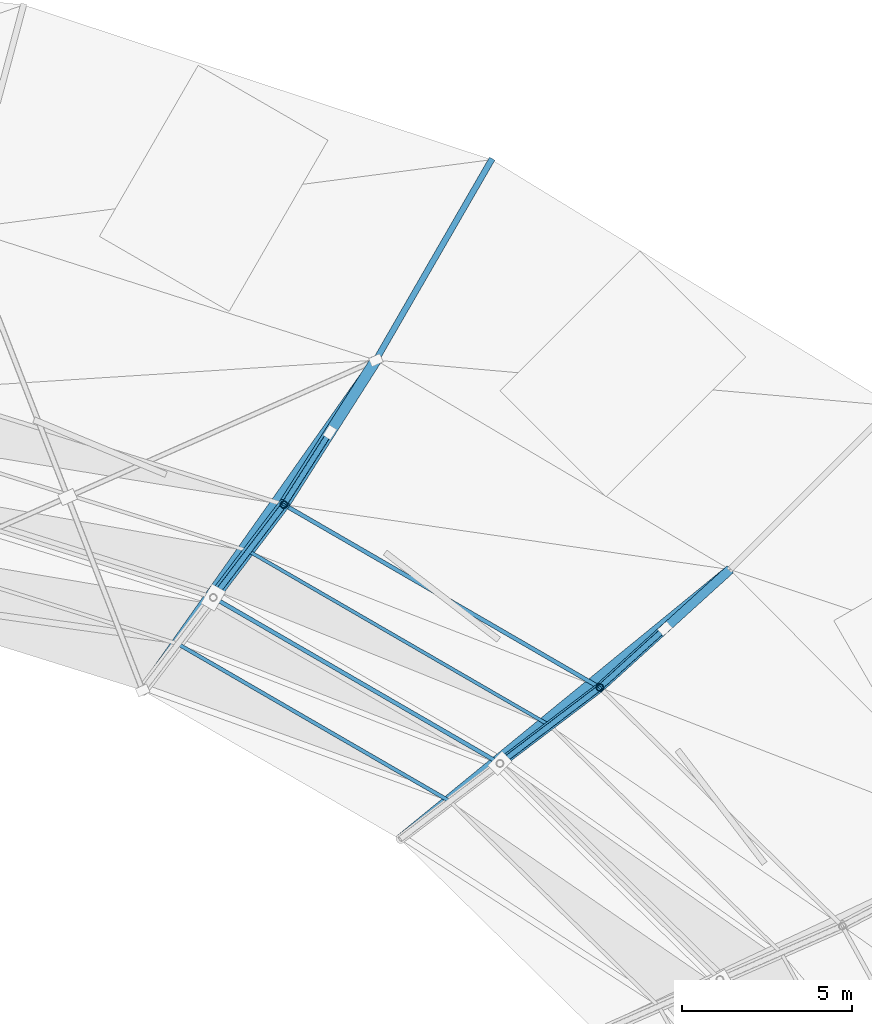
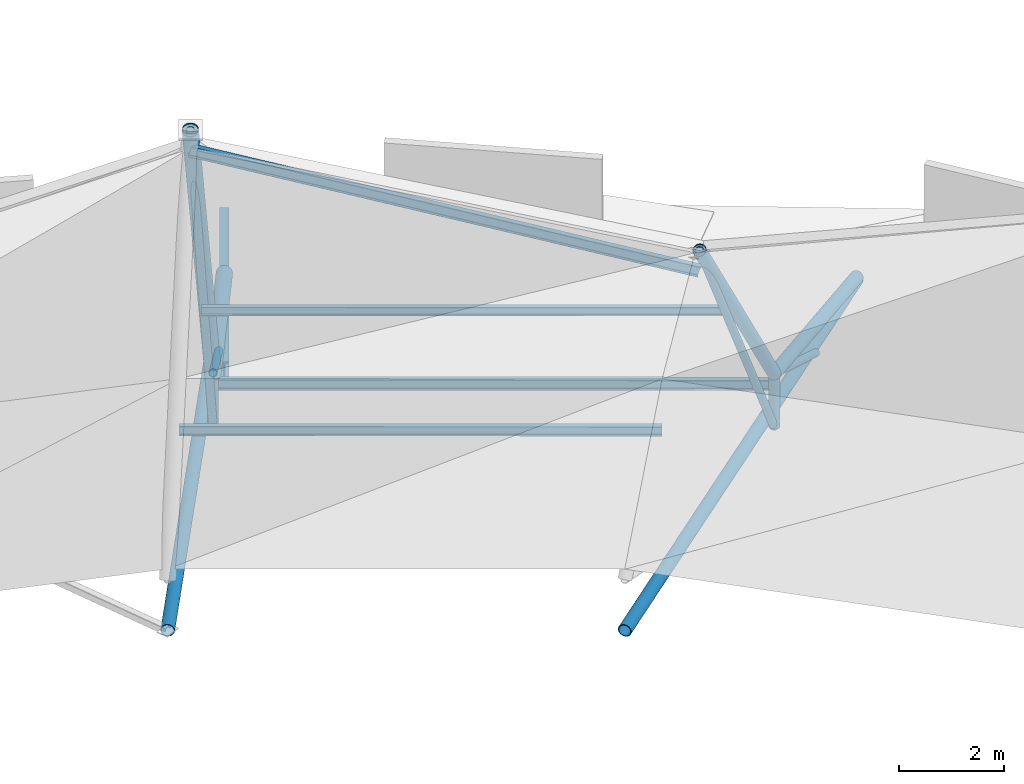
# One storey, part 16 of 36: 14 members, 3 beams.
"""IFC4 building model written with IfcOpenShell, lengths in metres."""

from ifc_helpers import new_model, si_unit, direction, frame, origin, origin_2d, place, context, subcontext, project, spatial, hollow_circle, i_section, extrude, material, material_profile, profile_set, type_object, element, save


model = new_model("IFC4")

# Units and contexts
model_context = context("Model", 3, precision=1e-05, world=origin(), true_north=direction((0.0, 1.0)))
body_context = subcontext(model_context, "Body", "Model", "MODEL_VIEW")
ifc_project = project(units=[si_unit("LENGTHUNIT", "METRE"), si_unit("AREAUNIT", "SQUARE_METRE"), si_unit("VOLUMEUNIT", "CUBIC_METRE"), si_unit("PLANEANGLEUNIT", "RADIAN"), si_unit("MASSUNIT", "GRAM", prefix="KILO")], contexts=[model_context])

# Site, building, storey
site_placement = place(None, origin())
site = spatial("IfcSite", under=ifc_project, at=site_placement, CompositionType="ELEMENT")
building_placement = place(site_placement, origin())
building = spatial("IfcBuilding", under=site, at=building_placement, Name="Kildeholm Park Wholesale Market", CompositionType="ELEMENT")
storey_placement = place(building_placement, frame((0.0, 0.0, 17.39990234375)))
storey = spatial("IfcBuildingStorey", under=building, at=storey_placement, Name="Roof", CompositionType="ELEMENT", Elevation=17.39990234375)

# Beams
ifc_material = material(Name="Steel S355", Category="steel")
ifc_material_profile_1 = material_profile(ifc_material, i_section(OverallWidth=0.179931640625, OverallDepth=0.39990234375, WebThickness=0.008544921875, FlangeThickness=0.013427734375, FilletRadius=0.02099609375, at=origin_2d()), Name="IPE 400")
ifc_profile_set_1 = profile_set([ifc_material_profile_1], Name="Steel S355")
beam_type_1 = type_object("IfcBeamType", Name="Beam B-P01 IPE 400", PredefinedType="BEAM", material=ifc_profile_set_1)
beam_1_placement = place(storey_placement, frame((127.5, 128.904052734375, -8.025390625), z_axis=(-0.492978620712, -0.853915717996, 0.166733398216), x_axis=(0.866038511948, -0.499977295307, 0.0)))
element("IfcBeam", 1, at=beam_1_placement, inside=storey, type_object=beam_type_1, Name="Beam BM-V1-RF-S1-04 BM-0243", PredefinedType="BEAM", context=body_context, shape_type="SweptSolid", body=[
    extrude(i_section(OverallWidth=0.179931640625, OverallDepth=0.39990234375, WebThickness=0.008544921875, FlangeThickness=0.013427734375, FilletRadius=0.02099609375, at=origin_2d()), origin(), (0.0, 0.0, 1.0), 6.896728515625),
])
ifc_material_profile_2 = material_profile(ifc_material, hollow_circle(Radius=0.136474609375, WallThickness=0.01611328125, at=origin_2d()), Name="CHS 273x16")
ifc_profile_set_2 = profile_set([ifc_material_profile_2], Name="Steel S355")
beam_type_2 = type_object("IfcBeamType", Name="Beam B-T01 CHS 273x16", PredefinedType="BEAM", material=ifc_profile_set_2)
beam_2_placement = place(storey_placement, frame((134.4970703125, 116.864990234375, -4.6298828125), z_axis=(-0.774216280002, -0.632921126034, 0.0), x_axis=(0.632921126034, -0.774216280002, 0.0)))
element("IfcBeam", 2, at=beam_2_placement, inside=storey, type_object=beam_type_2, Name="Beam BM-V1-TIE-03 BM-0242", PredefinedType="BEAM", context=body_context, shape_type="SweptSolid", body=[
    extrude(hollow_circle(Radius=0.136474609375, WallThickness=0.01611328125, at=origin_2d()), origin(), (0.0, 0.0, 1.0), 12.51318359375),
])
beam_3_placement = place(storey_placement, frame((124.10009765625, 123.014892578125, -4.6298828125), z_axis=(-0.576894674263, -0.816818544603, 0.0), x_axis=(0.816818544603, -0.576894674263, 0.0)))
element("IfcBeam", 3, at=beam_3_placement, inside=storey, type_object=beam_type_2, Name="Beam BM-V1-TIE-04 BM-0248", PredefinedType="BEAM", context=body_context, shape_type="SweptSolid", body=[
    extrude(hollow_circle(Radius=0.136474609375, WallThickness=0.01611328125, at=origin_2d()), origin(), (0.0, 0.0, 1.0), 11.8740234375),
])

# Members
ifc_material_profile_3 = material_profile(ifc_material, i_section(OverallWidth=0.10009765625, OverallDepth=0.199951171875, WebThickness=0.005615234375, FlangeThickness=0.008544921875, FilletRadius=0.011962890625, at=origin_2d()), Name="IPE 200")
ifc_profile_set_3 = profile_set([ifc_material_profile_3], Name="Steel S355")
member_type_1 = type_object("IfcMemberType", Name="Member PR-01 IPE 200", PredefinedType="PURLIN", material=ifc_profile_set_3)
member_1_placement = place(storey_placement, frame((129.21044921875, 112.285888671875, -0.731689453125), z_axis=(-0.865443179504, 0.501007088822, 0.0), x_axis=(-0.501007088822, -0.865443179504, 0.0)))
element("IfcMember", 4, at=member_1_placement, inside=storey, type_object=member_type_1, Name="Member PR-V1-MDO-03 MEM-0050", PredefinedType="PURLIN", context=body_context, shape_type="SweptSolid", body=[
    extrude(i_section(OverallWidth=0.10009765625, OverallDepth=0.199951171875, WebThickness=0.005615234375, FlangeThickness=0.008544921875, FilletRadius=0.011962890625, at=origin_2d()), origin(), (0.0, 0.0, 1.0), 10.2236328125),
])
ifc_material_profile_4 = material_profile(ifc_material, i_section(OverallWidth=0.1201171875, OverallDepth=0.239990234375, WebThickness=0.006103515625, FlangeThickness=0.009765625, FilletRadius=0.014892578125, at=origin_2d()), Name="IPE 240")
ifc_profile_set_4 = profile_set([ifc_material_profile_4], Name="Steel S355")
member_type_2 = type_object("IfcMemberType", Name="Member PR-02 IPE 240", PredefinedType="PURLIN", material=ifc_profile_set_4)
member_2_placement = place(storey_placement, frame((130.677978515625, 113.39990234375, -3.631591796875), z_axis=(-0.865403937833, 0.501074869039, 0.0), x_axis=(-0.501074869039, -0.865403937833, 0.0)))
element("IfcMember", 5, at=member_2_placement, inside=storey, type_object=member_type_2, Name="Member PR-V1-STP2-03 MEM-0048", PredefinedType="PURLIN", context=body_context, shape_type="SweptSolid", body=[
    extrude(i_section(OverallWidth=0.1201171875, OverallDepth=0.239990234375, WebThickness=0.006103515625, FlangeThickness=0.009765625, FilletRadius=0.014892578125, at=origin_2d()), origin(), (0.0, 0.0, 1.0), 10.72119140625),
])
member_3_placement = place(storey_placement, frame((127.742919921875, 111.172119140625, 1.385009765625), z_axis=(-0.831722673971, 0.481352260994, 0.276653925399), x_axis=(-0.500902684414, -0.865503611054, 0.0)))
element("IfcMember", 6, at=member_3_placement, inside=storey, type_object=member_type_2, Name="Member PR-V1-CRWN-03 MEM-0049", PredefinedType="PURLIN", context=body_context, shape_type="SweptSolid", body=[
    extrude(i_section(OverallWidth=0.1201171875, OverallDepth=0.239990234375, WebThickness=0.006103515625, FlangeThickness=0.009765625, FilletRadius=0.014892578125, at=origin_2d()), origin(), (0.0, 0.0, 1.0), 10.12109375),
])
ifc_material_profile_5 = material_profile(ifc_material, i_section(OverallWidth=0.110107421875, OverallDepth=0.219970703125, WebThickness=0.005859375, FlangeThickness=0.00927734375, FilletRadius=0.011962890625, at=origin_2d()), Name="IPE 220")
ifc_profile_set_5 = profile_set([ifc_material_profile_5], Name="Steel S355")
member_type_3 = type_object("IfcMemberType", Name="Member PR-03 IPE 220", PredefinedType="PURLIN", material=ifc_profile_set_5)
member_4_placement = place(storey_placement, frame((126.27587890625, 110.05859375, -1.14111328125), z_axis=(-0.865588643817, 0.50075572857, 0.0), x_axis=(-0.50075572857, -0.865588643817, 0.0)))
element("IfcMember", 7, at=member_4_placement, inside=storey, type_object=member_type_3, Name="Member PR-V1-MDI-03 MEM-0051", PredefinedType="PURLIN", context=body_context, shape_type="SweptSolid", body=[
    extrude(i_section(OverallWidth=0.110107421875, OverallDepth=0.219970703125, WebThickness=0.005859375, FlangeThickness=0.00927734375, FilletRadius=0.011962890625, at=origin_2d()), origin(), (0.0, 0.0, 1.0), 9.228759765625),
])
ifc_material_profile_6 = material_profile(ifc_material, hollow_circle(Radius=0.084228515625, WallThickness=0.010009765625, at=origin_2d()), Name="CHS 168.3x10")
ifc_profile_set_6 = profile_set([ifc_material_profile_6], Name="Steel S355")
member_type_4 = type_object("IfcMemberType", Name="Member TB-01 CHS 168.3x10", PredefinedType="BRACE", material=ifc_profile_set_6)
member_5_placement = place(storey_placement, frame((132.587890625, 115.132080078125, -4.6298828125), z_axis=(-0.667549315149, -0.605427890961, 0.433399331669), x_axis=(0.671800440371, -0.740732183935, 0.0)))
element("IfcMember", 8, at=member_5_placement, inside=storey, type_object=member_type_4, Name="Member TR-V1-03-WB1 MEM-0045", PredefinedType="BRACE", context=body_context, shape_type="SweptSolid", body=[
    extrude(hollow_circle(Radius=0.084228515625, WallThickness=0.010009765625, at=origin_2d()), origin(), (0.0, 0.0, 1.0), 2.861083984375),
])
member_6_placement = place(storey_placement, frame((130.677978515625, 113.39990234375, -4.6298828125), z_axis=(-0.393277128214, -0.298507219677, 0.869612868019), x_axis=(0.604590931653, -0.796536129352, 0.0)))
element("IfcMember", 9, at=member_6_placement, inside=storey, type_object=member_type_4, Name="Member TR-V1-03-WB2 MEM-0046", PredefinedType="BRACE", context=body_context, shape_type="SweptSolid", body=[
    extrude(hollow_circle(Radius=0.084228515625, WallThickness=0.010009765625, at=origin_2d()), origin(), (0.0, 0.0, 1.0), 7.463134765625),
])
member_7_placement = place(storey_placement, frame((122.75, 120.89404296875, -4.6298828125), z_axis=(-0.481456033698, -0.756747892387, 0.442190812866), x_axis=(0.843717440155, -0.53678755684, 0.0)))
element("IfcMember", 10, at=member_7_placement, inside=storey, type_object=member_type_4, Name="Member TR-V1-04-WB1 MEM-0057", PredefinedType="BRACE", context=body_context, shape_type="SweptSolid", body=[
    extrude(hollow_circle(Radius=0.084228515625, WallThickness=0.010009765625, at=origin_2d()), origin(), (0.0, 0.0, 1.0), 2.80419921875),
])
member_8_placement = place(storey_placement, frame((121.39990234375, 118.77197265625, -4.6298828125), z_axis=(-0.209545726635, -0.275498758609, 0.93818496175), x_axis=(0.795930166757, -0.605388445254, 0.0)))
element("IfcMember", 11, at=member_8_placement, inside=storey, type_object=member_type_4, Name="Member TR-V1-04-WB2 MEM-0058", PredefinedType="BRACE", context=body_context, shape_type="SweptSolid", body=[
    extrude(hollow_circle(Radius=0.084228515625, WallThickness=0.010009765625, at=origin_2d()), origin(), (0.0, 0.0, 1.0), 9.902099609375),
])
ifc_material_profile_7 = material_profile(ifc_material, hollow_circle(Radius=0.109619140625, WallThickness=0.012451171875, at=origin_2d()), Name="CHS 219.1x12.5")
ifc_profile_set_7 = profile_set([ifc_material_profile_7], Name="Steel S355")
member_type_5 = type_object("IfcMemberType", Name="Member TB-02 CHS 219.1x12.5", PredefinedType="BRACE", material=ifc_profile_set_7)
for number, where, z_axis, x_axis, name in (
    (12, (130.677978515625, 113.39990234375, -4.6298828125), (0.0, 0.0, 1.0), (1.0, 0.0, 0.0), "Member TR-V1-03-VT1 MEM-0043"),
    (13, (121.39990234375, 118.77197265625, -4.6298828125), (0.0, 0.0, 1.0), (1.0, 0.0, 0.0), "Member TR-V1-04-VT1 MEM-0055"),
):
    element("IfcMember", number, at=place(storey_placement, frame(where, z_axis=z_axis, x_axis=x_axis)), inside=storey, type_object=member_type_5, Name=name, PredefinedType="BRACE", context=body_context, shape_type="SweptSolid", body=[
        extrude(hollow_circle(Radius=0.109619140625, WallThickness=0.012451171875, at=origin_2d()), origin(), (0.0, 0.0, 1.0), 1.239990234375),
    ])
ifc_material_profile_8 = material_profile(ifc_material, hollow_circle(Radius=0.161865234375, WallThickness=0.01611328125, at=origin_2d()), Name="CHS 323.9x16")
ifc_profile_set_8 = profile_set([ifc_material_profile_8], Name="Steel S355")
member_type_6 = type_object("IfcMemberType", Name="Member TC-01 CHS 323.9x16", PredefinedType="CHORD", material=ifc_profile_set_8)
member_9_placement = place(storey_placement, frame((124.10009765625, 123.014892578125, -4.579833984375), z_axis=(-0.522472259901, -0.820980597181, 0.230246816886), x_axis=(0.84364749533, -0.536897479622, 0.0)))
element("IfcMember", 14, at=member_9_placement, inside=storey, type_object=member_type_6, Name="Member TR-V1-04-TC1 MEM-0052", PredefinedType="CHORD", context=body_context, shape_type="SweptSolid", body=[
    extrude(hollow_circle(Radius=0.161865234375, WallThickness=0.01611328125, at=origin_2d()), origin(), (0.0, 0.0, 1.0), 5.168212890625),
])
member_10_placement = place(storey_placement, frame((121.39990234375, 118.77197265625, -3.389892578125), z_axis=(-0.23715533351, -0.311798293521, 0.920075633818), x_axis=(0.795930166757, -0.605388445254, 0.0)))
element("IfcMember", 15, at=member_10_placement, inside=storey, type_object=member_type_6, Name="Member TR-V1-04-TC2 MEM-0053", PredefinedType="CHORD", context=body_context, shape_type="SweptSolid", body=[
    extrude(hollow_circle(Radius=0.161865234375, WallThickness=0.01611328125, at=origin_2d()), origin(), (0.0, 0.0, 1.0), 8.749267578125),
])
ifc_material_profile_9 = material_profile(ifc_material, hollow_circle(Radius=0.136474609375, WallThickness=0.01611328125, at=origin_2d()), Name="CHS 273x16")
ifc_profile_set_9 = profile_set([ifc_material_profile_9], Name="Steel S355")
member_type_7 = type_object("IfcMemberType", Name="Member TC-02 CHS 273x16", PredefinedType="CHORD", material=ifc_profile_set_9)
member_11_placement = place(storey_placement, frame((134.4970703125, 116.864990234375, -4.579833984375), z_axis=(-0.721634117326, -0.654743529196, 0.224844638998), x_axis=(0.671949035159, -0.74059739005, 0.0)))
element("IfcMember", 16, at=member_11_placement, inside=storey, type_object=member_type_7, Name="Member TR-V1-03-TC1 MEM-0040", PredefinedType="CHORD", context=body_context, shape_type="SweptSolid", body=[
    extrude(hollow_circle(Radius=0.136474609375, WallThickness=0.01611328125, at=origin_2d()), origin(), (0.0, 0.0, 1.0), 5.292236328125),
])
member_12_placement = place(storey_placement, frame((130.677978515625, 113.39990234375, -3.389892578125), z_axis=(-0.45759805838, -0.347328421454, 0.818515109584), x_axis=(0.604590931653, -0.796536129352, 0.0)))
element("IfcMember", 17, at=member_12_placement, inside=storey, type_object=member_type_7, Name="Member TR-V1-03-TC2 MEM-0041", PredefinedType="CHORD", context=body_context, shape_type="SweptSolid", body=[
    extrude(hollow_circle(Radius=0.136474609375, WallThickness=0.01611328125, at=origin_2d()), origin(), (0.0, 0.0, 1.0), 6.4140625),
])

save(model, "model.ifc")
